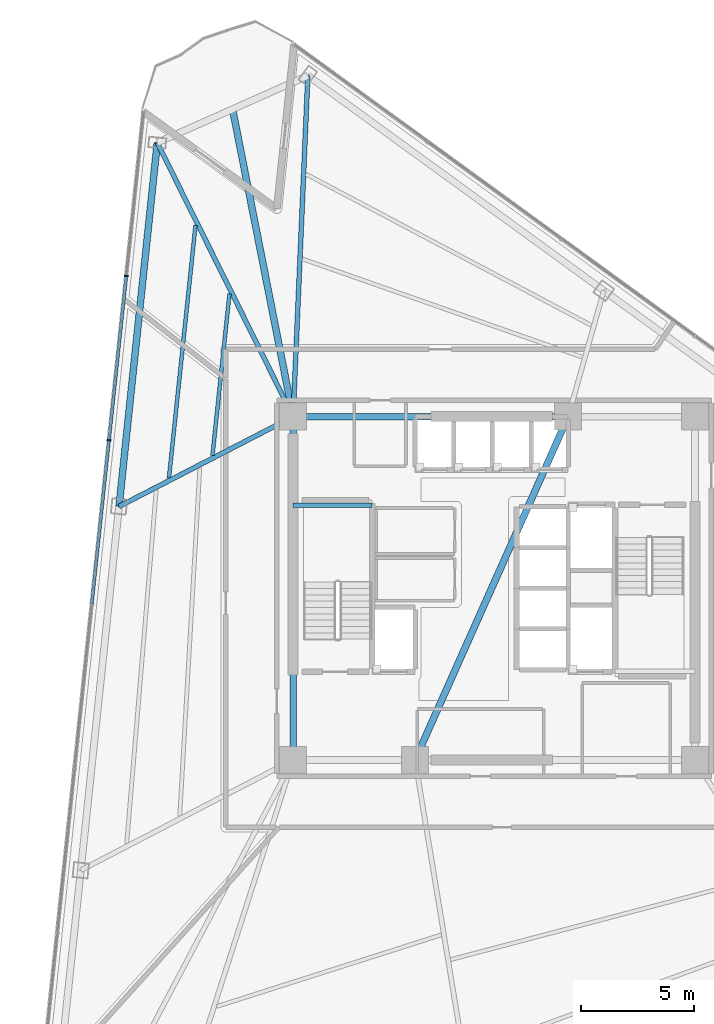
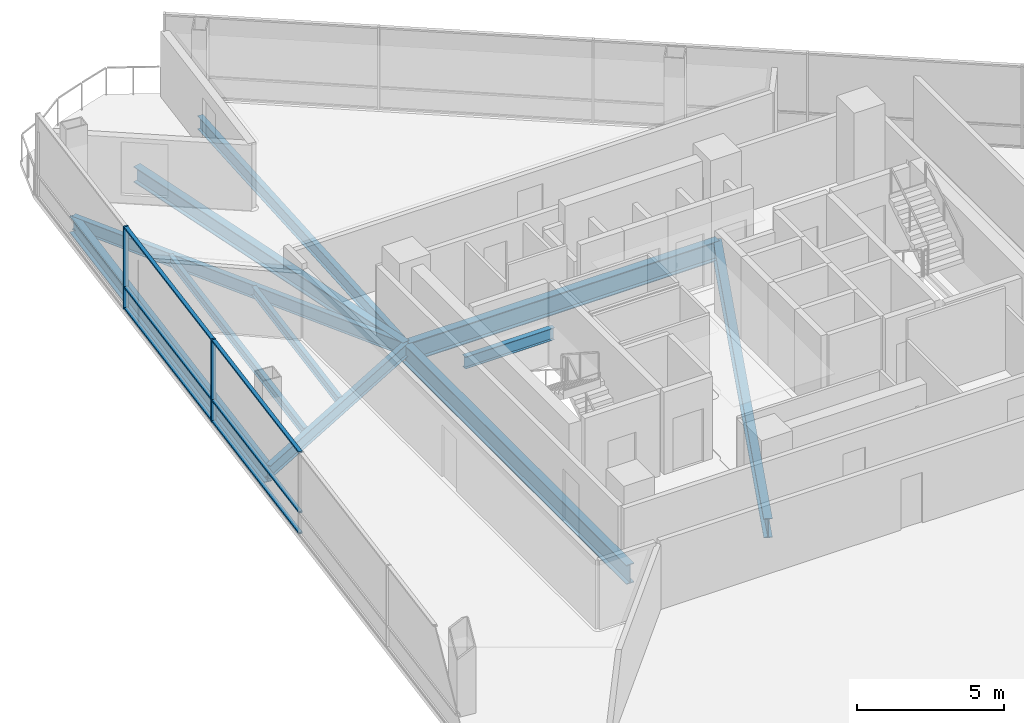
# One storey, part 7 of 16: 11 beams, 8 members, 1 element without a shape of its own.
"""IFC4 building model written with IfcOpenShell, lengths in metres."""

from ifc_helpers import new_model, si_unit, direction, frame, origin, origin_2d, place, context, subcontext, project, spatial, rectangle, i_section, extrude, material, layer, layer_set, material_profile, profile_set, type_object, element, aggregate, save


model = new_model("IFC4")

# Units and contexts
model_context = context("Model", 3, precision=1e-05, world=origin(), true_north=direction((0.0, 1.0)))
body_context = subcontext(model_context, "Body", "Model", "MODEL_VIEW")
ifc_project = project(units=[si_unit("LENGTHUNIT", "METRE"), si_unit("AREAUNIT", "SQUARE_METRE"), si_unit("VOLUMEUNIT", "CUBIC_METRE"), si_unit("PLANEANGLEUNIT", "RADIAN"), si_unit("MASSUNIT", "GRAM", prefix="KILO")], contexts=[model_context])

# Site, building, storey
site_placement = place(None, origin())
site = spatial("IfcSite", under=ifc_project, at=site_placement, CompositionType="ELEMENT")
building_placement = place(site_placement, origin())
building = spatial("IfcBuilding", under=site, at=building_placement, Name="Tharavind Bronze Gate", CompositionType="ELEMENT")
storey_placement = place(building_placement, frame((0.0, 0.0, 123.25)))
storey = spatial("IfcBuildingStorey", under=building, at=storey_placement, Name="L31", CompositionType="ELEMENT", Elevation=123.25)

# Curtain wall, members
ifc_material_1 = material(Name="Anodised Bronze Aluminium", Category="aluminium")
ifc_layer = layer(ifc_material_1, 0.219970703125)
ifc_layer_set = layer_set([ifc_layer], Name="Anodised Bronze Aluminium")
curtain_wall_type = type_object("IfcCurtainWallType", Name="UNITISED CURTAIN WALL LOWER OFFICE", PredefinedType="USERDEFINED", material=ifc_layer_set)
curtain_wall_placement = place(storey_placement, origin())
curtain_wall = element("IfcCurtainWall", 1, at=curtain_wall_placement, inside=storey, type_object=curtain_wall_type, Name="L31 unitised curtain wall lower office CW-L31-S1", ObjectType="UNITISED CURTAIN WALL", PredefinedType="USERDEFINED")
member_type_1 = type_object("IfcMemberType", Name="CURTAIN WALL BRONZE MULLION 65X180", PredefinedType="MULLION", material=ifc_material_1)
member_1_placement = place(storey_placement, frame((-16.2919921875, 13.828369140625, 0.0), z_axis=(0.0, 0.0, 1.0), x_axis=(-0.104526727499, -0.994522077803, 0.0)))
member_1 = element("IfcMember", 2, at=member_1_placement, type_object=member_type_1, Name="CW-L31-S1 mullion 2", PredefinedType="MULLION", context=body_context, shape_type="SweptSolid", body=[
    extrude(rectangle(XDim=0.06494140625, YDim=0.179931640625, at=origin_2d()), origin(), (0.0, 0.0, 1.0), 3.409912109375),
])
member_2_placement = place(storey_placement, frame((-17.056396484375, 6.55517578125, 0.0), z_axis=(0.0, 0.0, 1.0), x_axis=(-0.104526727499, -0.994522077803, 0.0)))
member_2 = element("IfcMember", 3, at=member_2_placement, type_object=member_type_1, Name="CW-L31-S1 mullion 3", PredefinedType="MULLION", context=body_context, shape_type="SweptSolid", body=[
    extrude(rectangle(XDim=0.06494140625, YDim=0.179931640625, at=origin_2d()), origin(), (0.0, 0.0, 1.0), 3.409912109375),
])
member_type_2 = type_object("IfcMemberType", Name="CURTAIN WALL BRONZE TRANSOM 65X140", PredefinedType="USERDEFINED", material=ifc_material_1)
member_3_placement = place(storey_placement, frame((-16.67431640625, 10.19189453125, 0.0), z_axis=(0.0, 0.0, 1.0), x_axis=(-0.104526727499, -0.994522077803, 0.0)))
member_3 = element("IfcMember", 4, at=member_3_placement, type_object=member_type_2, Name="CW-L31-S1 transom TB2", ObjectType="TRANSOM", PredefinedType="USERDEFINED", context=body_context, shape_type="SweptSolid", body=[
    extrude(rectangle(XDim=7.26025390625, YDim=0.139892578125, at=origin_2d()), origin(), (0.0, 0.0, 1.0), 0.06494140625),
])
member_4_placement = place(storey_placement, frame((-16.67431640625, 10.19189453125, 0.867431640625), z_axis=(0.0, 0.0, 1.0), x_axis=(-0.104526727499, -0.994522077803, 0.0)))
member_4 = element("IfcMember", 5, at=member_4_placement, type_object=member_type_2, Name="CW-L31-S1 transom TS2", ObjectType="TRANSOM", PredefinedType="USERDEFINED", context=body_context, shape_type="SweptSolid", body=[
    extrude(rectangle(XDim=7.26025390625, YDim=0.139892578125, at=origin_2d()), origin(), (0.0, 0.0, 1.0), 0.06494140625),
])
member_5_placement = place(storey_placement, frame((-16.67431640625, 10.19189453125, 3.344970703125), z_axis=(0.0, 0.0, 1.0), x_axis=(-0.104526727499, -0.994522077803, 0.0)))
member_5 = element("IfcMember", 6, at=member_5_placement, type_object=member_type_2, Name="CW-L31-S1 transom TT2", ObjectType="TRANSOM", PredefinedType="USERDEFINED", context=body_context, shape_type="SweptSolid", body=[
    extrude(rectangle(XDim=7.26025390625, YDim=0.139892578125, at=origin_2d()), origin(), (0.0, 0.0, 1.0), 0.06494140625),
])
member_6_placement = place(storey_placement, frame((-17.438720703125, 2.91845703125, 0.0), z_axis=(0.0, 0.0, 1.0), x_axis=(-0.104526727499, -0.994522077803, 0.0)))
member_6 = element("IfcMember", 7, at=member_6_placement, type_object=member_type_2, Name="CW-L31-S1 transom TB3", ObjectType="TRANSOM", PredefinedType="USERDEFINED", context=body_context, shape_type="SweptSolid", body=[
    extrude(rectangle(XDim=7.26025390625, YDim=0.139892578125, at=origin_2d()), origin(), (0.0, 0.0, 1.0), 0.06494140625),
])
member_7_placement = place(storey_placement, frame((-17.438720703125, 2.91845703125, 0.867431640625), z_axis=(0.0, 0.0, 1.0), x_axis=(-0.104526727499, -0.994522077803, 0.0)))
member_7 = element("IfcMember", 8, at=member_7_placement, type_object=member_type_2, Name="CW-L31-S1 transom TS3", ObjectType="TRANSOM", PredefinedType="USERDEFINED", context=body_context, shape_type="SweptSolid", body=[
    extrude(rectangle(XDim=7.26025390625, YDim=0.139892578125, at=origin_2d()), origin(), (0.0, 0.0, 1.0), 0.06494140625),
])
member_8_placement = place(storey_placement, frame((-17.438720703125, 2.91845703125, 3.344970703125), z_axis=(0.0, 0.0, 1.0), x_axis=(-0.104526727499, -0.994522077803, 0.0)))
member_8 = element("IfcMember", 9, at=member_8_placement, type_object=member_type_2, Name="CW-L31-S1 transom TT3", ObjectType="TRANSOM", PredefinedType="USERDEFINED", context=body_context, shape_type="SweptSolid", body=[
    extrude(rectangle(XDim=7.26025390625, YDim=0.139892578125, at=origin_2d()), origin(), (0.0, 0.0, 1.0), 0.06494140625),
])
aggregate(curtain_wall, [member_1, member_2, member_3, member_4, member_5, member_6, member_7, member_8])

# Beams
ifc_material_2 = material(Name="Steel S355", Category="steel")
ifc_material_profile_1 = material_profile(ifc_material_2, i_section(OverallWidth=0.300048828125, OverallDepth=0.64990234375, WebThickness=0.01611328125, FlangeThickness=0.031005859375, at=origin_2d()), Name="HE650B")
ifc_profile_set_1 = profile_set([ifc_material_profile_1], Name="Steel S355")
beam_type_1 = type_object("IfcBeamType", Name="PRIMARY GIRDER HE650B", PredefinedType="USERDEFINED", material=ifc_profile_set_1)
beam_1_placement = place(storey_placement, frame((-8.89990234375, 7.60009765625, -0.514892578125), z_axis=(-0.193337817279, 0.981132248176, 0.0), x_axis=(-0.981132248176, -0.193337817279, 0.0)))
element("IfcBeam", 10, at=beam_1_placement, inside=storey, type_object=beam_type_1, Name="L31 primary girder he650b BM-L31-BLCSB", ObjectType="GIRDER", PredefinedType="USERDEFINED", context=body_context, shape_type="SweptSolid", body=[
    extrude(i_section(OverallWidth=0.300048828125, OverallDepth=0.64990234375, WebThickness=0.01611328125, FlangeThickness=0.031005859375, at=origin_2d()), origin(), (0.0, 0.0, 1.0), 13.8779296875),
])
ifc_material_profile_2 = material_profile(ifc_material_2, i_section(OverallWidth=0.199951171875, OverallDepth=0.5, WebThickness=0.01025390625, FlangeThickness=0.01611328125, at=origin_2d()), Name="IPE500")
ifc_profile_set_2 = profile_set([ifc_material_profile_2], Name="Steel S355")
beam_type_2 = type_object("IfcBeamType", Name="PRIMARY GIRDER IPE500", PredefinedType="USERDEFINED", material=ifc_profile_set_2)
beam_2_placement = place(storey_placement, frame((-8.89990234375, 3.679931640625, 1.35009765625), z_axis=(1.0, 0.0, 0.0), x_axis=(0.0, 1.0, 0.0)))
element("IfcBeam", 11, at=beam_2_placement, inside=storey, type_object=beam_type_2, Name="L31 primary girder ipe500 BM-LD-ST1-L31-1", ObjectType="GIRDER", PredefinedType="USERDEFINED", context=body_context, shape_type="SweptSolid", body=[
    extrude(i_section(OverallWidth=0.199951171875, OverallDepth=0.5, WebThickness=0.01025390625, FlangeThickness=0.01611328125, at=origin_2d()), origin(), (0.0, 0.0, 1.0), 3.5),
])
ifc_material_profile_3 = material_profile(ifc_material_2, i_section(OverallWidth=0.2099609375, OverallDepth=0.550048828125, WebThickness=0.010986328125, FlangeThickness=0.01708984375, at=origin_2d()), Name="IPE550")
ifc_profile_set_3 = profile_set([ifc_material_profile_3], Name="Steel S355")
beam_type_3 = type_object("IfcBeamType", Name="PRIMARY GIRDER IPE550", PredefinedType="USERDEFINED", material=ifc_profile_set_3)
beam_3_placement = place(storey_placement, frame((-14.91748046875, 19.7314453125, -0.465087890625), z_axis=(0.444370024662, -0.895843335177, 0.0), x_axis=(0.895843335177, 0.444370024662, 0.0)))
element("IfcBeam", 12, at=beam_3_placement, inside=storey, type_object=beam_type_3, Name="L31 primary girder ipe550 BM-L31-RAD01", ObjectType="GIRDER", PredefinedType="USERDEFINED", context=body_context, shape_type="SweptSolid", body=[
    extrude(i_section(OverallWidth=0.2099609375, OverallDepth=0.550048828125, WebThickness=0.010986328125, FlangeThickness=0.01708984375, at=origin_2d()), origin(), (0.0, 0.0, 1.0), 13.541748046875),
])
beam_4_placement = place(storey_placement, frame((-16.610595703125, 3.62158203125, -0.465087890625), z_axis=(0.888676879782, 0.45853397185, 0.0), x_axis=(-0.45853397185, 0.888676879782, 0.0)))
element("IfcBeam", 13, at=beam_4_placement, inside=storey, type_object=beam_type_3, Name="L31 primary girder ipe550 BM-L31-RAD02", ObjectType="GIRDER", PredefinedType="USERDEFINED", context=body_context, shape_type="SweptSolid", body=[
    extrude(i_section(OverallWidth=0.2099609375, OverallDepth=0.550048828125, WebThickness=0.010986328125, FlangeThickness=0.01708984375, at=origin_2d()), origin(), (0.0, 0.0, 1.0), 8.676513671875),
])
beam_5_placement = place(storey_placement, frame((-8.24853515625, 22.70068359375, -0.465087890625), z_axis=(-0.043095152207, -0.999070972382, 0.0), x_axis=(0.999070972382, -0.043095152207, 0.0)))
element("IfcBeam", 14, at=beam_5_placement, inside=storey, type_object=beam_type_3, Name="L31 primary girder ipe550 BM-L31-RAD12", ObjectType="GIRDER", PredefinedType="USERDEFINED", context=body_context, shape_type="SweptSolid", body=[
    extrude(i_section(OverallWidth=0.2099609375, OverallDepth=0.550048828125, WebThickness=0.010986328125, FlangeThickness=0.01708984375, at=origin_2d()), origin(), (0.0, 0.0, 1.0), 15.11474609375),
])
ifc_material_profile_4 = material_profile(ifc_material_2, i_section(OverallWidth=0.300048828125, OverallDepth=0.699951171875, WebThickness=0.01708984375, FlangeThickness=0.031982421875, at=origin_2d()), Name="HE700B")
ifc_profile_set_4 = profile_set([ifc_material_profile_4], Name="Steel S355")
beam_type_4 = type_object("IfcBeamType", Name="RING GIRDER HE700B", PredefinedType="USERDEFINED", material=ifc_profile_set_4)
beam_6_placement = place(storey_placement, frame((-14.91748046875, 19.7314453125, -0.5400390625), z_axis=(-0.104522380175, -0.994522534708, 0.0), x_axis=(0.994522534708, -0.104522380175, 0.0)))
element("IfcBeam", 15, at=beam_6_placement, inside=storey, type_object=beam_type_4, Name="L31 ring girder he700b BM-L31-PRG01", ObjectType="GIRDER", PredefinedType="USERDEFINED", context=body_context, shape_type="SweptSolid", body=[
    extrude(i_section(OverallWidth=0.300048828125, OverallDepth=0.699951171875, WebThickness=0.01708984375, FlangeThickness=0.031982421875, at=origin_2d()), origin(), (0.0, 0.0, 1.0), 16.198486328125),
])
ifc_material_profile_5 = material_profile(ifc_material_2, i_section(OverallWidth=0.300048828125, OverallDepth=0.800048828125, WebThickness=0.017578125, FlangeThickness=0.032958984375, at=origin_2d()), Name="HE800B")
ifc_profile_set_5 = profile_set([ifc_material_profile_5], Name="Steel S355")
beam_type_5 = type_object("IfcBeamType", Name="RING GIRDER HE800B", PredefinedType="USERDEFINED", material=ifc_profile_set_5)
beam_7_placement = place(storey_placement, frame((3.280029296875, 7.60009765625, -0.590087890625), z_axis=(-1.0, 0.0, 0.0), x_axis=(0.0, -1.0, 0.0)))
element("IfcBeam", 16, at=beam_7_placement, inside=storey, type_object=beam_type_5, Name="L31 ring girder he800b BM-L31-CR5", ObjectType="GIRDER", PredefinedType="USERDEFINED", context=body_context, shape_type="SweptSolid", body=[
    extrude(i_section(OverallWidth=0.300048828125, OverallDepth=0.800048828125, WebThickness=0.017578125, FlangeThickness=0.032958984375, at=origin_2d()), origin(), (0.0, 0.0, 1.0), 12.179931640625),
])
beam_8_placement = place(storey_placement, frame((-8.89990234375, 7.60009765625, -0.590087890625), z_axis=(0.0, -1.0, 0.0), x_axis=(1.0, 0.0, 0.0)))
element("IfcBeam", 17, at=beam_8_placement, inside=storey, type_object=beam_type_5, Name="L31 ring girder he800b BM-L31-CR6", ObjectType="GIRDER", PredefinedType="USERDEFINED", context=body_context, shape_type="SweptSolid", body=[
    extrude(i_section(OverallWidth=0.300048828125, OverallDepth=0.800048828125, WebThickness=0.017578125, FlangeThickness=0.032958984375, at=origin_2d()), origin(), (0.0, 0.0, 1.0), 15.2001953125),
])
beam_9_placement = place(storey_placement, frame((-3.5, -7.60009765625, -0.590087890625), z_axis=(0.407361644566, 0.913266932795, 0.0), x_axis=(-0.913266932795, 0.407361644566, 0.0)))
element("IfcBeam", 18, at=beam_9_placement, inside=storey, type_object=beam_type_5, Name="L31 ring girder he800b BM-L31-CR7", ObjectType="GIRDER", PredefinedType="USERDEFINED", context=body_context, shape_type="SweptSolid", body=[
    extrude(i_section(OverallWidth=0.300048828125, OverallDepth=0.800048828125, WebThickness=0.017578125, FlangeThickness=0.032958984375, at=origin_2d()), origin(), (0.0, 0.0, 1.0), 16.643798828125),
])
ifc_material_profile_6 = material_profile(ifc_material_2, i_section(OverallWidth=0.169921875, OverallDepth=0.360107421875, WebThickness=0.008056640625, FlangeThickness=0.0126953125, at=origin_2d()), Name="IPE360")
ifc_profile_set_6 = profile_set([ifc_material_profile_6], Name="Steel S355")
beam_type_6 = type_object("IfcBeamType", Name="SECONDARY FLOOR JOIST IPE360", PredefinedType="JOIST", material=ifc_profile_set_6)
beam_10_placement = place(storey_placement, frame((-11.718994140625, 13.0419921875, -0.3701171875), z_axis=(-0.104536567764, -0.994521043518, 0.0), x_axis=(0.994521043518, -0.104536567764, 0.0)))
element("IfcBeam", 19, at=beam_10_placement, inside=storey, type_object=beam_type_6, Name="L31 secondary floor joist ipe360 BM-L31-JSTA01", PredefinedType="JOIST", context=body_context, shape_type="SweptSolid", body=[
    extrude(i_section(OverallWidth=0.169921875, OverallDepth=0.360107421875, WebThickness=0.008056640625, FlangeThickness=0.0126953125, at=origin_2d()), origin(), (0.0, 0.0, 1.0), 7.20263671875),
])
beam_11_placement = place(storey_placement, frame((-13.223388671875, 16.074951171875, -0.3701171875), z_axis=(-0.104516494227, -0.994523153292, 0.0), x_axis=(0.994523153292, -0.104516494227, 0.0)))
element("IfcBeam", 20, at=beam_11_placement, inside=storey, type_object=beam_type_6, Name="L31 secondary floor joist ipe360 BM-L31-JSTB01", PredefinedType="JOIST", context=body_context, shape_type="SweptSolid", body=[
    extrude(i_section(OverallWidth=0.169921875, OverallDepth=0.360107421875, WebThickness=0.008056640625, FlangeThickness=0.0126953125, at=origin_2d()), origin(), (0.0, 0.0, 1.0), 11.251953125),
])

save(model, "model.ifc")
